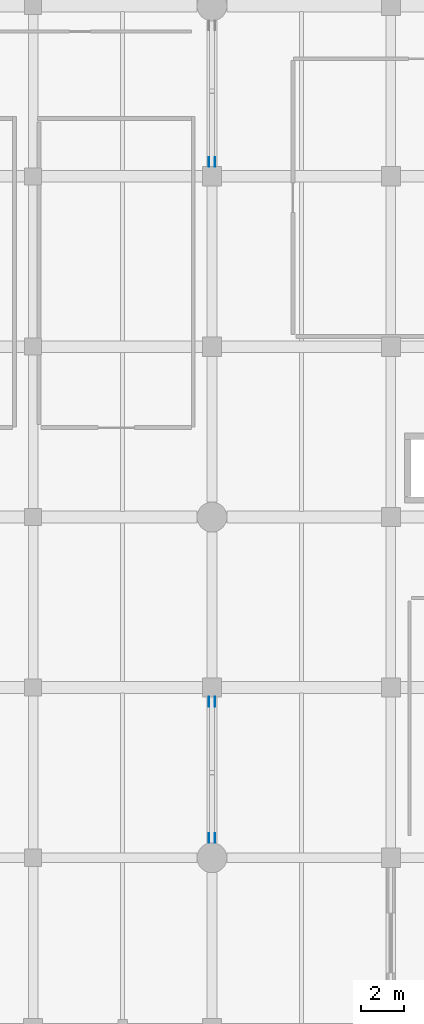
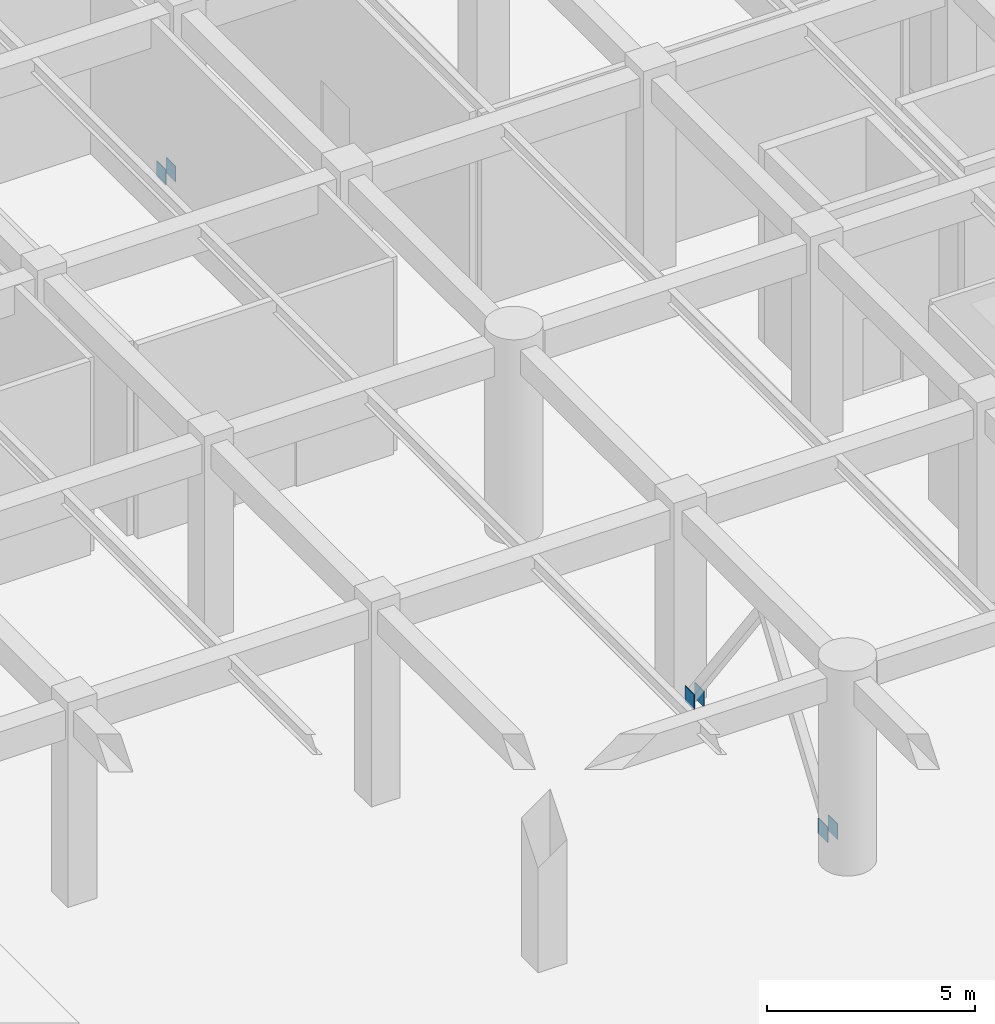
# One storey, part 63 of 76: 6 discrete accessories.
"""IFC4 building model written with IfcOpenShell, lengths in metres."""

from ifc_helpers import new_model, si_unit, direction, frame, origin, origin_2d, place, context, subcontext, project, spatial, rectangle, extrude, material, layer, layer_set, type_object, element, save


model = new_model("IFC4")

# Units and contexts
model_context = context("Model", 3, precision=1e-05, world=origin(), true_north=direction((0.0, 1.0)))
body_context = subcontext(model_context, "Body", "Model", "MODEL_VIEW")
ifc_project = project(units=[si_unit("LENGTHUNIT", "METRE"), si_unit("AREAUNIT", "SQUARE_METRE"), si_unit("VOLUMEUNIT", "CUBIC_METRE"), si_unit("PLANEANGLEUNIT", "RADIAN"), si_unit("MASSUNIT", "GRAM", prefix="KILO")], contexts=[model_context])

# Site, building, storey
site_placement = place(None, origin())
site = spatial("IfcSite", under=ifc_project, at=site_placement, CompositionType="ELEMENT")
building_placement = place(site_placement, origin())
building = spatial("IfcBuilding", under=site, at=building_placement, Name="Naruveol Harbour Congress Hotel", CompositionType="ELEMENT")
storey_placement = place(building_placement, origin())
storey = spatial("IfcBuildingStorey", under=building, at=storey_placement, Name="L00", CompositionType="ELEMENT", Elevation=0.0)

# Discrete accessories
ifc_material = material(Name="Steel SN490", Category="steel")
ifc_layer = layer(ifc_material, 0.02001953125)
ifc_layer_set = layer_set([ifc_layer], Name="Steel SN490")
discrete_accessory_type = type_object("IfcDiscreteAccessoryType", Name="STEEL BRACE GUSSET PLATE 20", PredefinedType="USERDEFINED", material=ifc_layer_set)
for number, where, z_axis, x_axis, name in (
    (1, (50.264892578125, 8.925048828125, 0.10986328125), (0.0, 0.0, 1.0), (0.0, 1.0, 0.0), "Brace gusset plate Lateral chevron brace L00 #6A (A)"),
    (2, (50.534912109375, 8.925048828125, 0.10986328125), (0.0, 0.0, 1.0), (0.0, 1.0, 0.0), "Brace gusset plate Lateral chevron brace L00 #6A (B)"),
    (3, (50.534912109375, 15.324951171875, 0.10986328125), (0.0, 0.0, 1.0), (0.0, -1.0, 0.0), "Brace gusset plate Lateral chevron brace L00 #6B (A)"),
    (4, (50.264892578125, 15.324951171875, 0.10986328125), (0.0, 0.0, 1.0), (0.0, -1.0, 0.0), "Brace gusset plate Lateral chevron brace L00 #6B (B)"),
    (5, (50.264892578125, 40.675048828125, 0.10986328125), (0.0, 0.0, 1.0), (0.0, 1.0, 0.0), "Brace gusset plate Lateral chevron brace L00 #7A (A)"),
    (6, (50.534912109375, 40.675048828125, 0.10986328125), (0.0, 0.0, 1.0), (0.0, 1.0, 0.0), "Brace gusset plate Lateral chevron brace L00 #7A (B)"),
):
    element("IfcDiscreteAccessory", number, at=place(storey_placement, frame(where, z_axis=z_axis, x_axis=x_axis)), inside=storey, type_object=discrete_accessory_type, Name=name, ObjectType="BRACE GUSSET PLATE", PredefinedType="USERDEFINED", context=body_context, shape_type="SweptSolid", body=[
        extrude(rectangle(XDim=0.449951171875, YDim=0.02001953125, at=origin_2d()), origin(), (0.0, 0.0, 1.0), 0.449951171875),
    ])

save(model, "model.ifc")
